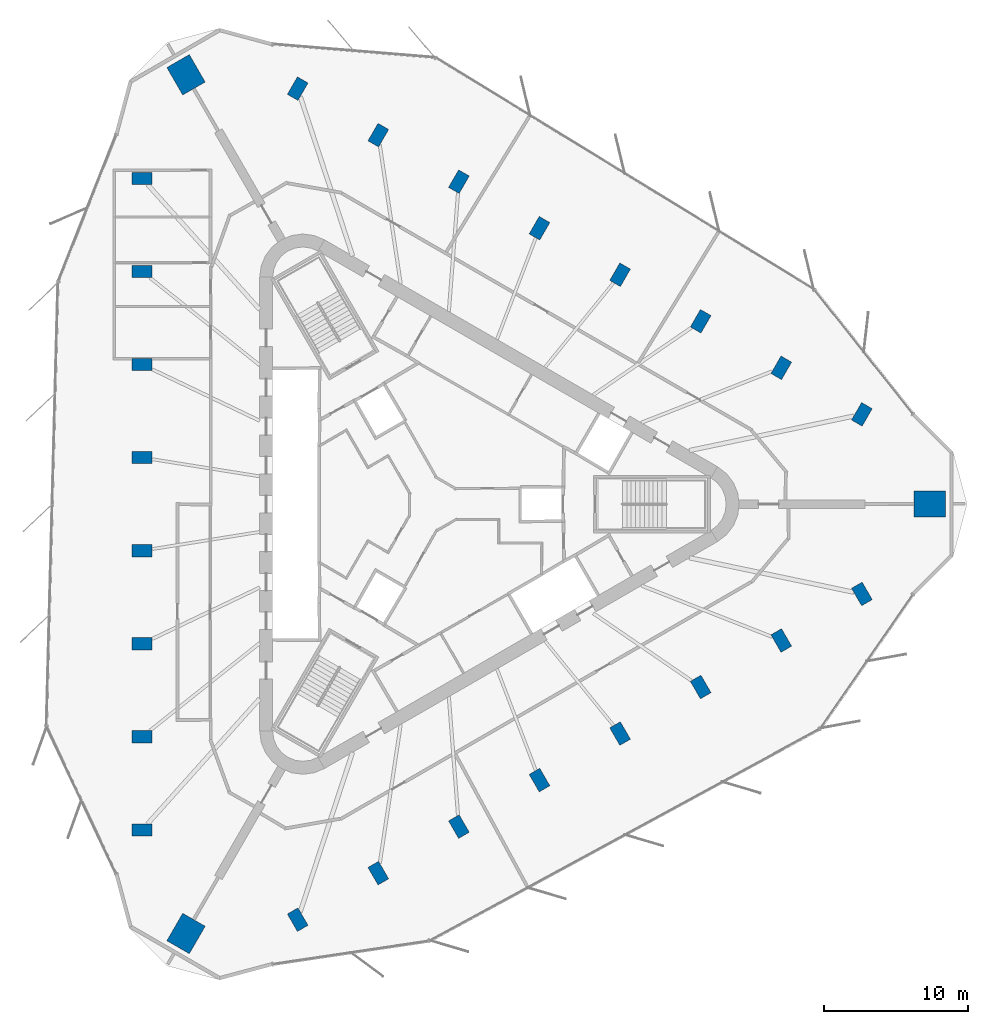
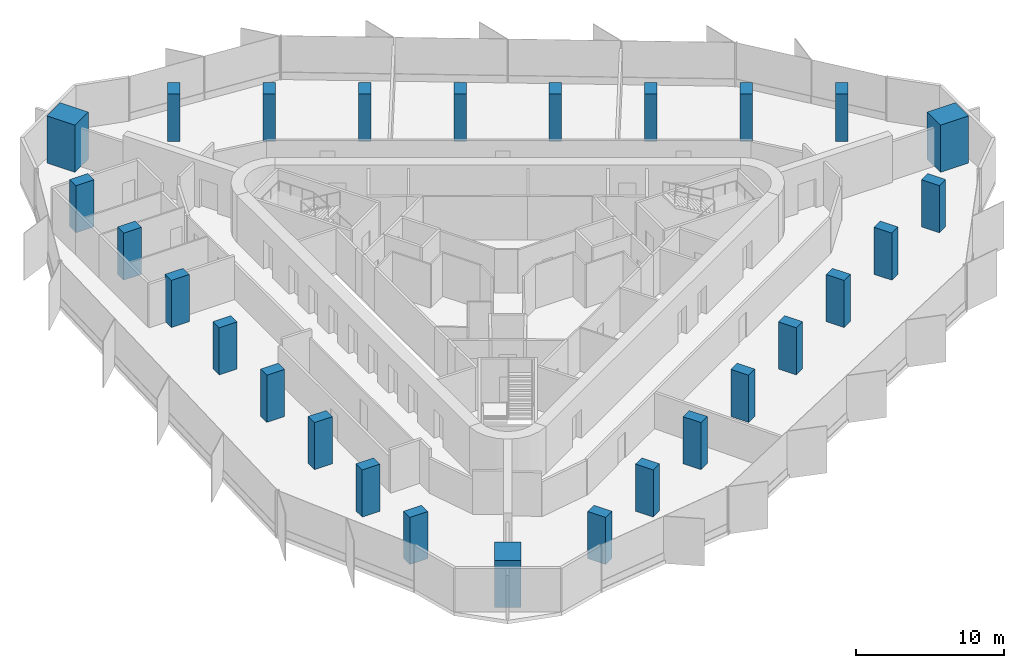
# One storey, part 1 of 13: 27 columns.
"""IFC4 building model written with IfcOpenShell, lengths in metres."""

from ifc_helpers import new_model, si_unit, direction, frame, origin, origin_2d, place, context, subcontext, project, spatial, rectangle, extrude, material, material_profile, profile_set, type_object, element, save


model = new_model("IFC4")

# Units and contexts
model_context = context("Model", 3, precision=1e-05, world=origin(), true_north=direction((0.0, 1.0)))
body_context = subcontext(model_context, "Body", "Model", "MODEL_VIEW")
ifc_project = project(units=[si_unit("LENGTHUNIT", "METRE"), si_unit("AREAUNIT", "SQUARE_METRE"), si_unit("VOLUMEUNIT", "CUBIC_METRE"), si_unit("PLANEANGLEUNIT", "RADIAN"), si_unit("MASSUNIT", "GRAM", prefix="KILO")], contexts=[model_context])

# Site, building, storey
site_placement = place(None, origin())
site = spatial("IfcSite", under=ifc_project, at=site_placement, CompositionType="ELEMENT")
building_placement = place(site_placement, origin())
building = spatial("IfcBuilding", under=site, at=building_placement, Name="Tanit Gate Tower", CompositionType="ELEMENT")
storey_placement = place(building_placement, frame((0.0, 0.0, 326.0)))
storey = spatial("IfcBuildingStorey", under=building, at=storey_placement, Name="L73", CompositionType="ELEMENT", Elevation=326.0)

# Columns
ifc_material_1 = material(Name="Concrete C50/60", Category="concrete")
ifc_material_profile_1 = material_profile(ifc_material_1, rectangle(XDim=2.199951171875, YDim=1.800048828125, at=origin_2d()), Name="RC 2200x1800")
ifc_profile_set_1 = profile_set([ifc_material_profile_1], Name="Concrete C50/60")
column_type_1 = type_object("IfcColumnType", Name="MEGA COLUMN 2200x1800 C50/60", PredefinedType="COLUMN", material=ifc_profile_set_1)
for number, where, z_axis, x_axis, name in (
    (1, (34.43505859375, 0.0, 0.0), (0.0, 0.0, 1.0), (1.0, 0.0, 0.0), "MEGA COLUMN"),
    (2, (-17.217529296875, 29.821533203125, 0.0), (0.0, 0.0, 1.0), (-0.5, 0.866025403784, 0.0), "MEGA COLUMN"),
    (3, (-17.217529296875, -29.821533203125, 0.0), (0.0, 0.0, 1.0), (-0.5, -0.866025403784, 0.0), "MEGA COLUMN"),
):
    element("IfcColumn", number, at=place(storey_placement, frame(where, z_axis=z_axis, x_axis=x_axis)), inside=storey, type_object=column_type_1, Name=name, PredefinedType="COLUMN", context=body_context, shape_type="SweptSolid", body=[
        extrude(rectangle(XDim=2.199951171875, YDim=1.800048828125, at=origin_2d()), origin(), (0.0, 0.0, 1.0), 3.89990234375),
    ])
ifc_material_2 = material(Name="Concrete C40/50", Category="concrete")
ifc_material_profile_2 = material_profile(ifc_material_2, rectangle(XDim=1.39990234375, YDim=0.85009765625, at=origin_2d()), Name="RC 1400x850")
ifc_profile_set_2 = profile_set([ifc_material_profile_2], Name="Concrete C40/50")
column_type_2 = type_object("IfcColumnType", Name="PERIMETER COLUMN 1400x850 C40/50", PredefinedType="COLUMN", material=ifc_profile_set_2)
for number, where, z_axis, x_axis, name in (
    (4, (-20.263671875, 22.62353515625, 0.0), (0.0, 0.0, 1.0), (-1.0, 0.0, 0.0), "PERIMETER COLUMN"),
    (5, (-20.263671875, 16.15966796875, 0.0), (0.0, 0.0, 1.0), (-1.0, 0.0, 0.0), "PERIMETER COLUMN"),
    (6, (-20.263671875, 9.69580078125, 0.0), (0.0, 0.0, 1.0), (-1.0, 0.0, 0.0), "PERIMETER COLUMN"),
    (7, (-20.263671875, 3.23193359375, 0.0), (0.0, 0.0, 1.0), (-1.0, 0.0, 0.0), "PERIMETER COLUMN"),
    (8, (-20.263671875, -3.23193359375, 0.0), (0.0, 0.0, 1.0), (-1.0, 0.0, 0.0), "PERIMETER COLUMN"),
    (9, (-20.263671875, -9.69580078125, 0.0), (0.0, 0.0, 1.0), (-1.0, 0.0, 0.0), "PERIMETER COLUMN"),
    (10, (-20.263671875, -16.15966796875, 0.0), (0.0, 0.0, 1.0), (-1.0, 0.0, 0.0), "PERIMETER COLUMN"),
    (11, (-20.263671875, -22.62353515625, 0.0), (0.0, 0.0, 1.0), (-1.0, 0.0, 0.0), "PERIMETER COLUMN"),
    (12, (29.724609375, 6.237060546875, 0.0), (0.0, 0.0, 1.0), (0.5, 0.866025403784, 0.0), "PERIMETER COLUMN"),
    (13, (24.126708984375, 9.468994140625, 0.0), (0.0, 0.0, 1.0), (0.5, 0.866025403784, 0.0), "PERIMETER COLUMN"),
    (14, (18.52880859375, 12.700927734375, 0.0), (0.0, 0.0, 1.0), (0.5, 0.866025403784, 0.0), "PERIMETER COLUMN"),
    (15, (12.930908203125, 15.932861328125, 0.0), (0.0, 0.0, 1.0), (0.5, 0.866025403784, 0.0), "PERIMETER COLUMN"),
    (16, (7.3330078125, 19.164794921875, 0.0), (0.0, 0.0, 1.0), (0.5, 0.866025403784, 0.0), "PERIMETER COLUMN"),
    (17, (1.735107421875, 22.396728515625, 0.0), (0.0, 0.0, 1.0), (0.5, 0.866025403784, 0.0), "PERIMETER COLUMN"),
    (18, (-3.86279296875, 25.628662109375, 0.0), (0.0, 0.0, 1.0), (0.5, 0.866025403784, 0.0), "PERIMETER COLUMN"),
    (19, (-9.460693359375, 28.860595703125, 0.0), (0.0, 0.0, 1.0), (0.5, 0.866025403784, 0.0), "PERIMETER COLUMN"),
    (20, (-9.460693359375, -28.860595703125, 0.0), (0.0, 0.0, 1.0), (0.5, -0.866025403784, 0.0), "PERIMETER COLUMN"),
    (21, (-3.86279296875, -25.628662109375, 0.0), (0.0, 0.0, 1.0), (0.5, -0.866025403784, 0.0), "PERIMETER COLUMN"),
    (22, (1.735107421875, -22.396728515625, 0.0), (0.0, 0.0, 1.0), (0.5, -0.866025403784, 0.0), "PERIMETER COLUMN"),
    (23, (7.3330078125, -19.164794921875, 0.0), (0.0, 0.0, 1.0), (0.5, -0.866025403784, 0.0), "PERIMETER COLUMN"),
    (24, (12.930908203125, -15.932861328125, 0.0), (0.0, 0.0, 1.0), (0.5, -0.866025403784, 0.0), "PERIMETER COLUMN"),
    (25, (18.52880859375, -12.700927734375, 0.0), (0.0, 0.0, 1.0), (0.5, -0.866025403784, 0.0), "PERIMETER COLUMN"),
    (26, (24.126708984375, -9.468994140625, 0.0), (0.0, 0.0, 1.0), (0.5, -0.866025403784, 0.0), "PERIMETER COLUMN"),
    (27, (29.724609375, -6.237060546875, 0.0), (0.0, 0.0, 1.0), (0.5, -0.866025403784, 0.0), "PERIMETER COLUMN"),
):
    element("IfcColumn", number, at=place(storey_placement, frame(where, z_axis=z_axis, x_axis=x_axis)), inside=storey, type_object=column_type_2, Name=name, PredefinedType="COLUMN", context=body_context, shape_type="SweptSolid", body=[
        extrude(rectangle(XDim=1.39990234375, YDim=0.85009765625, at=origin_2d()), origin(), (0.0, 0.0, 1.0), 3.89990234375),
    ])

save(model, "model.ifc")
